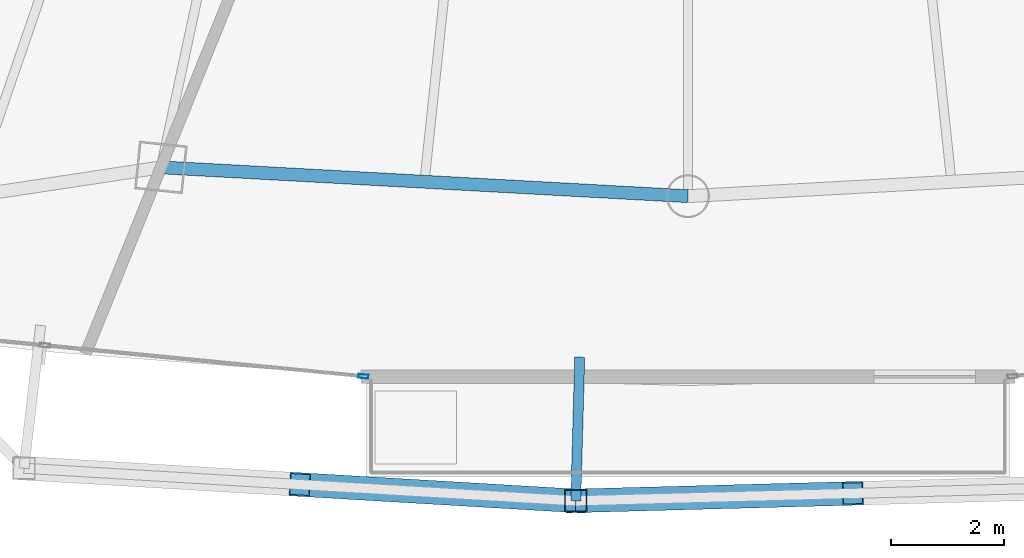
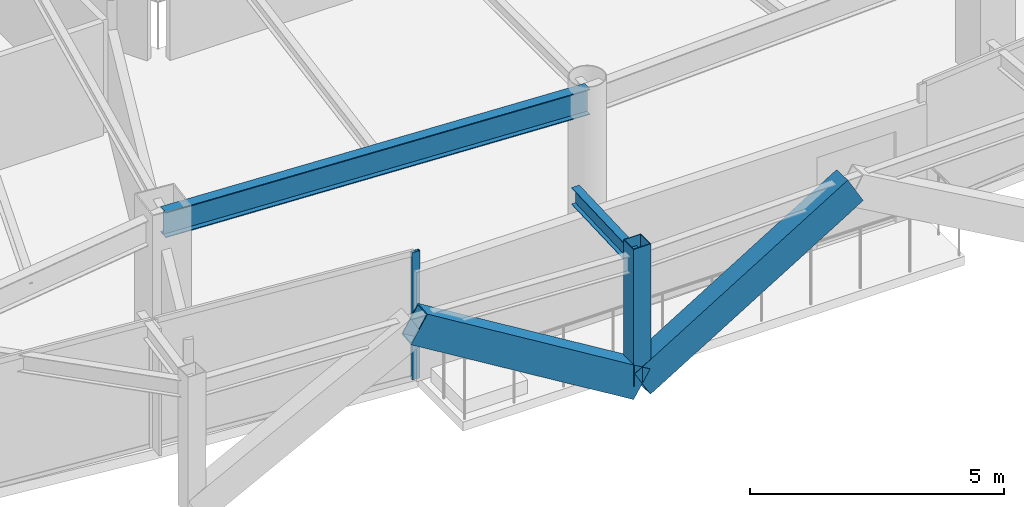
# One storey, part 7 of 31: 4 members, 2 beams, 1 element without a shape of its own.
"""IFC4 building model written with IfcOpenShell, lengths in metres."""

from ifc_helpers import new_model, si_unit, direction, frame, origin, origin_2d, place, context, subcontext, project, spatial, hollow_rectangle, i_section, extrude, material, layer, layer_set, material_profile, profile_set, type_object, element, aggregate, save


model = new_model("IFC4")

# Units and contexts
model_context = context("Model", 3, precision=1e-05, world=origin(), true_north=direction((0.0, 1.0)))
body_context = subcontext(model_context, "Body", "Model", "MODEL_VIEW")
ifc_project = project(units=[si_unit("LENGTHUNIT", "METRE"), si_unit("AREAUNIT", "SQUARE_METRE"), si_unit("VOLUMEUNIT", "CUBIC_METRE"), si_unit("PLANEANGLEUNIT", "RADIAN"), si_unit("MASSUNIT", "GRAM", prefix="KILO")], contexts=[model_context])

# Site, building, storey
site_placement = place(None, origin())
site = spatial("IfcSite", under=ifc_project, at=site_placement, CompositionType="ELEMENT")
building_placement = place(site_placement, origin())
building = spatial("IfcBuilding", under=site, at=building_placement, Name="Orvanel Arch Residences", CompositionType="ELEMENT")
storey_placement = place(building_placement, frame((0.0, 0.0, 150.64990234375)))
storey = spatial("IfcBuildingStorey", under=building, at=storey_placement, Name="L42", CompositionType="ELEMENT", Elevation=150.64990234375)

# Members
ifc_material_1 = material(Name="Structural steel AS/NZS 3678 Grade 350", Category="steel")
ifc_material_profile_1 = material_profile(ifc_material_1, hollow_rectangle(XDim=0.419921875, YDim=0.719970703125, WallThickness=0.02490234375, at=origin_2d()), Name="RHS720x420x25")
ifc_profile_set_1 = profile_set([ifc_material_profile_1], Name="Structural steel AS/NZS 3678 Grade 350")
member_type_1 = type_object("IfcMemberType", Name="BR-720RHS-EXT", PredefinedType="BRACE", material=ifc_profile_set_1)
member_1_placement = place(storey_placement, frame((31.010009765625, 1.43798828125, 0.0), z_axis=(-0.862567569184, 0.05092649855, 0.503372307877), x_axis=(-0.058937957058, -0.998261647674, 0.0)))
element("IfcMember", 1, at=member_1_placement, inside=storey, type_object=member_type_1, Name="L42 Exterior Sky-Garden V-Frame Chevron F2B1.2", PredefinedType="BRACE", context=body_context, shape_type="SweptSolid", body=[
    extrude(hollow_rectangle(XDim=0.419921875, YDim=0.719970703125, WallThickness=0.02490234375, at=origin_2d()), origin(), (0.0, 0.0, 1.0), 5.676025390625),
])
member_2_placement = place(storey_placement, frame((31.010009765625, 1.43798828125, 0.0), z_axis=(0.8644350171, 0.023215813356, 0.50220825085), x_axis=(-0.026846951926, 0.999639555626, 0.0)))
element("IfcMember", 2, at=member_2_placement, inside=storey, type_object=member_type_1, Name="L42 Exterior Sky-Garden V-Frame Chevron F2B2.1", PredefinedType="BRACE", context=body_context, shape_type="SweptSolid", body=[
    extrude(hollow_rectangle(XDim=0.419921875, YDim=0.719970703125, WallThickness=0.02490234375, at=origin_2d()), origin(), (0.0, 0.0, 1.0), 5.689208984375),
])

# Curtain wall, member
ifc_material_2 = material(Name="Bronze-anodised aluminium AA6063-T6", Category="aluminium")
ifc_layer = layer(ifc_material_2, 0.179931640625)
ifc_layer_set = layer_set([ifc_layer], Name="Bronze-anodised aluminium AA6063-T6")
curtain_wall_type = type_object("IfcCurtainWallType", Name="CW3-MID-SYS", PredefinedType="NOTDEFINED", material=ifc_layer_set)
curtain_wall_placement = place(storey_placement, origin())
curtain_wall = element("IfcCurtainWall", 3, at=curtain_wall_placement, inside=storey, type_object=curtain_wall_type, Name="L42 CW3-MID-SYS Unitised Curtain Wall", PredefinedType="NOTDEFINED")
ifc_material_profile_2 = material_profile(ifc_material_2, hollow_rectangle(XDim=0.070068359375, YDim=0.179931640625, WallThickness=0.00439453125, at=origin_2d()), Name="ALU180x70x4.5")
ifc_profile_set_2 = profile_set([ifc_material_profile_2], Name="Bronze-anodised aluminium AA6063-T6")
member_type_2 = type_object("IfcMemberType", Name="MUL-180x70", PredefinedType="MULLION", material=ifc_profile_set_2)
member_3_placement = place(storey_placement, frame((27.2412109375, 3.646484375, 0.0), z_axis=(0.0, 0.0, 1.0), x_axis=(0.097085158831, 0.995276078249, 0.0)))
member_3 = element("IfcMember", 4, at=member_3_placement, type_object=member_type_2, Name="CW-S3 mullion 3", PredefinedType="MULLION", context=body_context, shape_type="SweptSolid", body=[
    extrude(hollow_rectangle(XDim=0.070068359375, YDim=0.179931640625, WallThickness=0.00439453125, at=origin_2d()), origin(), (0.0, 0.0, 1.0), 3.06005859375),
])
aggregate(curtain_wall, [member_3])

# Beams
ifc_material_3 = material(Name="Structural steel AS/NZS 3679.1 Grade 300 (300 MPa)", Category="steel")
ifc_material_profile_3 = material_profile(ifc_material_3, i_section(OverallWidth=0.177978515625, OverallDepth=0.406005859375, WebThickness=0.0078125, FlangeThickness=0.0126953125, at=origin_2d()), Name="410UB59.7")
ifc_profile_set_3 = profile_set([ifc_material_profile_3], Name="Structural steel AS/NZS 3679.1 Grade 300 (300 MPa)")
beam_type_1 = type_object("IfcBeamType", Name="OB-410UB-EXT", PredefinedType="SPANDREL", material=ifc_profile_set_3)
beam_1_placement = place(storey_placement, frame((31.080078125, 3.987060546875, 2.857177734375), z_axis=(-0.027477409816, -0.999622424693, 0.0), x_axis=(0.999622424693, -0.027477409816, 0.0)))
element("IfcBeam", 5, at=beam_1_placement, inside=storey, type_object=beam_type_1, Name="L42 Outer Frame Radial Tie Beam 06", PredefinedType="SPANDREL", context=body_context, shape_type="SweptSolid", body=[
    extrude(i_section(OverallWidth=0.177978515625, OverallDepth=0.406005859375, WebThickness=0.0078125, FlangeThickness=0.0126953125, at=origin_2d()), origin(), (0.0, 0.0, 1.0), 2.550048828125),
])
ifc_material_profile_4 = material_profile(ifc_material_3, i_section(OverallWidth=0.22900390625, OverallDepth=0.612060546875, WebThickness=0.011962890625, FlangeThickness=0.01953125, at=origin_2d()), Name="610UB125")
ifc_profile_set_4 = profile_set([ifc_material_profile_4], Name="Structural steel AS/NZS 3679.1 Grade 300 (300 MPa)")
beam_type_2 = type_object("IfcBeamType", Name="SP-610UB", PredefinedType="SPANDREL", material=ifc_profile_set_4)
beam_2_placement = place(storey_placement, frame((23.64892578125, 7.35498046875, 2.754150390625), z_axis=(0.998510315598, -0.054563262768, 0.0), x_axis=(0.054563262768, 0.998510315598, 0.0)))
element("IfcBeam", 6, at=beam_2_placement, inside=storey, type_object=beam_type_2, Name="L42 Perimeter Spandrel Beam 05", PredefinedType="SPANDREL", context=body_context, shape_type="SweptSolid", body=[
    extrude(i_section(OverallWidth=0.22900390625, OverallDepth=0.612060546875, WebThickness=0.011962890625, FlangeThickness=0.01953125, at=origin_2d()), origin(), (0.0, 0.0, 1.0), 9.364990234375),
])

# Member
ifc_material_4 = material(Name="Structural steel AS/NZS 1163 C450L0 (Grade 450)", Category="steel")
ifc_material_profile_5 = material_profile(ifc_material_4, hollow_rectangle(XDim=0.39990234375, YDim=0.39990234375, WallThickness=0.01611328125, at=origin_2d()), Name="SHS400x400x16")
ifc_profile_set_5 = profile_set([ifc_material_profile_5], Name="Structural steel AS/NZS 1163 C450L0 (Grade 450)")
member_type_3 = type_object("IfcMemberType", Name="ST-400SHS-EXT", PredefinedType="STRUT", material=ifc_profile_set_5)
member_4_placement = place(storey_placement, frame((31.010009765625, 1.43798828125, 0.0), z_axis=(0.0, 0.0, 1.0), x_axis=(1.0, 0.0, 0.0)))
element("IfcMember", 7, at=member_4_placement, inside=storey, type_object=member_type_3, Name="L42 Outer Perimeter Frame Post 06", PredefinedType="STRUT", context=body_context, shape_type="SweptSolid", body=[
    extrude(hollow_rectangle(XDim=0.39990234375, YDim=0.39990234375, WallThickness=0.01611328125, at=origin_2d()), origin(), (0.0, 0.0, 1.0), 3.300048828125),
])

save(model, "model.ifc")
